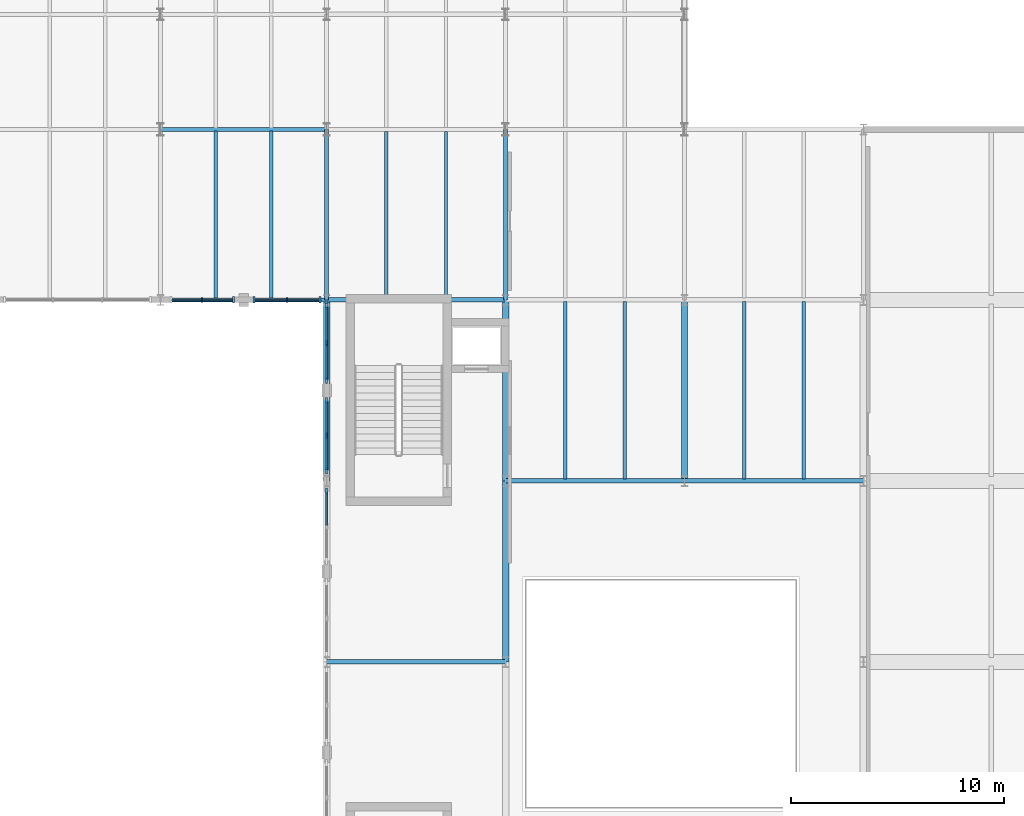
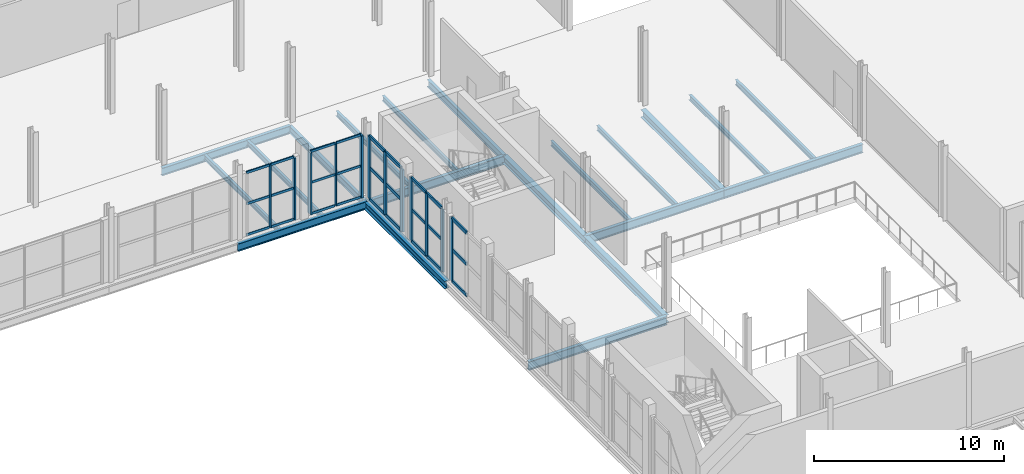
# One storey, part 31 of 63: 39 members, 20 beams, 5 elements without a shape of their own.
"""IFC4 building model written with IfcOpenShell, lengths in metres."""

from ifc_helpers import new_model, si_unit, direction, frame, origin, origin_2d, place, context, subcontext, project, spatial, rectangle, i_section, extrude, material, layer, layer_set, material_profile, profile_set, type_object, element, aggregate, save


model = new_model("IFC4")

# Units and contexts
model_context = context("Model", 3, precision=1e-05, world=origin(), true_north=direction((0.0, 1.0)))
body_context = subcontext(model_context, "Body", "Model", "MODEL_VIEW")
ifc_project = project(units=[si_unit("LENGTHUNIT", "METRE"), si_unit("AREAUNIT", "SQUARE_METRE"), si_unit("VOLUMEUNIT", "CUBIC_METRE"), si_unit("PLANEANGLEUNIT", "RADIAN"), si_unit("MASSUNIT", "GRAM", prefix="KILO")], contexts=[model_context])

# Site, building, storey
site_placement = place(None, origin())
site = spatial("IfcSite", under=ifc_project, at=site_placement, CompositionType="ELEMENT")
building_placement = place(site_placement, origin())
building = spatial("IfcBuilding", under=site, at=building_placement, Name="Sefraquen Railside Congress Hotel", CompositionType="ELEMENT")
storey_placement = place(building_placement, frame((0.0, 0.0, 11.39990234375)))
storey = spatial("IfcBuildingStorey", under=building, at=storey_placement, Name="L02", CompositionType="ELEMENT", Elevation=11.39990234375)

# Beams
ifc_material_1 = material(Name="Steel S355JR", Category="steel")
ifc_material_profile_1 = material_profile(ifc_material_1, i_section(OverallWidth=0.18994140625, OverallDepth=0.449951171875, WebThickness=0.009521484375, FlangeThickness=0.0146484375, FilletRadius=0.02099609375, at=origin_2d()), Name="IPE 450")
ifc_profile_set_1 = profile_set([ifc_material_profile_1], Name="Steel S355JR")
beam_type_1 = type_object("IfcBeamType", Name="TB-BM-450", PredefinedType="BEAM", material=ifc_profile_set_1)
for number, where, z_axis, x_axis, name in (
    (1, (103.199951171875, 88.0, -0.574951171875), (0.0, 1.0, 0.0), (-1.0, 0.0, 0.0), "Floor beam BM-L02-0931"),
    (2, (111.60009765625, 88.0, -0.574951171875), (0.0, 1.0, 0.0), (-1.0, 0.0, 0.0), "Floor beam BM-L02-0939"),
):
    element("IfcBeam", number, at=place(storey_placement, frame(where, z_axis=z_axis, x_axis=x_axis)), inside=storey, type_object=beam_type_1, Name=name, PredefinedType="BEAM", context=body_context, shape_type="SweptSolid", body=[
        extrude(i_section(OverallWidth=0.18994140625, OverallDepth=0.449951171875, WebThickness=0.009521484375, FlangeThickness=0.0146484375, FilletRadius=0.02099609375, at=origin_2d()), origin(), (0.0, 0.0, 1.0), 8.0),
    ])
ifc_material_profile_2 = material_profile(ifc_material_1, i_section(OverallWidth=0.199951171875, OverallDepth=0.5, WebThickness=0.01025390625, FlangeThickness=0.01611328125, FilletRadius=0.02099609375, at=origin_2d()), Name="IPE 500")
ifc_profile_set_2 = profile_set([ifc_material_profile_2], Name="Steel S355JR")
beam_type_2 = type_object("IfcBeamType", Name="TB-BM-500", PredefinedType="BEAM", material=ifc_profile_set_2)
for number, where, z_axis, x_axis, name in (
    (3, (95.39990234375, 88.0, -0.599853515625), (1.0, 0.0, 0.0), (0.0, 1.0, 0.0), "Primary girder BM-L02-0770"),
    (4, (95.39990234375, 96.0, -0.599853515625), (1.0, 0.0, 0.0), (0.0, 1.0, 0.0), "Primary girder BM-L02-0786"),
):
    element("IfcBeam", number, at=place(storey_placement, frame(where, z_axis=z_axis, x_axis=x_axis)), inside=storey, type_object=beam_type_2, Name=name, PredefinedType="BEAM", context=body_context, shape_type="SweptSolid", body=[
        extrude(i_section(OverallWidth=0.199951171875, OverallDepth=0.5, WebThickness=0.01025390625, FlangeThickness=0.01611328125, FilletRadius=0.02099609375, at=origin_2d()), origin(), (0.0, 0.0, 1.0), 7.800048828125),
    ])
ifc_material_profile_3 = material_profile(ifc_material_1, i_section(OverallWidth=0.300048828125, OverallDepth=0.489990234375, WebThickness=0.011962890625, FlangeThickness=0.02294921875, FilletRadius=0.027099609375, at=origin_2d()), Name="HEA 500")
ifc_profile_set_3 = profile_set([ifc_material_profile_3], Name="Steel S355JR")
beam_type_3 = type_object("IfcBeamType", Name="TB-GIR-500", PredefinedType="T_BEAM", material=ifc_profile_set_3)
for number, where, z_axis, x_axis, name in (
    (5, (103.199951171875, 79.5, -0.594970703125), (0.0, 1.0, 0.0), (-1.0, 0.0, 0.0), "Floor beam BM-L02-0930"),
    (6, (111.60009765625, 71.0, -0.594970703125), (0.0, 1.0, 0.0), (-1.0, 0.0, 0.0), "Floor beam BM-L02-0937"),
    (7, (111.60009765625, 79.5, -0.594970703125), (0.0, 1.0, 0.0), (-1.0, 0.0, 0.0), "Floor beam BM-L02-0938"),
    (8, (120.0, 79.5, -0.594970703125), (0.0, 1.0, 0.0), (-1.0, 0.0, 0.0), "Floor beam BM-L02-0949"),
):
    element("IfcBeam", number, at=place(storey_placement, frame(where, z_axis=z_axis, x_axis=x_axis)), inside=storey, type_object=beam_type_3, Name=name, PredefinedType="T_BEAM", context=body_context, shape_type="SweptSolid", body=[
        extrude(i_section(OverallWidth=0.300048828125, OverallDepth=0.489990234375, WebThickness=0.011962890625, FlangeThickness=0.02294921875, FilletRadius=0.027099609375, at=origin_2d()), origin(), (0.0, 0.0, 1.0), 8.5),
    ])
ifc_material_profile_4 = material_profile(ifc_material_1, i_section(OverallWidth=0.2099609375, OverallDepth=0.550048828125, WebThickness=0.010986328125, FlangeThickness=0.01708984375, FilletRadius=0.02392578125, at=origin_2d()), Name="IPE 550")
ifc_profile_set_4 = profile_set([ifc_material_profile_4], Name="Steel S355JR")
beam_type_4 = type_object("IfcBeamType", Name="TB-GIR-550", PredefinedType="T_BEAM", material=ifc_profile_set_4)
beam_1_placement = place(storey_placement, frame((103.199951171875, 71.0, -0.625), z_axis=(1.0, 0.0, 0.0), x_axis=(0.0, 1.0, 0.0)))
element("IfcBeam", 9, at=beam_1_placement, inside=storey, type_object=beam_type_4, Name="Primary girder BM-L02-0748", PredefinedType="T_BEAM", context=body_context, shape_type="SweptSolid", body=[
    extrude(i_section(OverallWidth=0.2099609375, OverallDepth=0.550048828125, WebThickness=0.010986328125, FlangeThickness=0.01708984375, FilletRadius=0.02392578125, at=origin_2d()), origin(), (0.0, 0.0, 1.0), 8.400146484375),
])
for number, where, z_axis, x_axis, name in (
    (10, (111.60009765625, 79.5, -0.625), (1.0, 0.0, 0.0), (0.0, 1.0, 0.0), "Primary girder BM-L02-0756"),
    (11, (120.0, 79.5, -0.625), (1.0, 0.0, 0.0), (0.0, 1.0, 0.0), "Primary girder BM-L02-0757"),
):
    element("IfcBeam", number, at=place(storey_placement, frame(where, z_axis=z_axis, x_axis=x_axis)), inside=storey, type_object=beam_type_4, Name=name, PredefinedType="T_BEAM", context=body_context, shape_type="SweptSolid", body=[
        extrude(i_section(OverallWidth=0.2099609375, OverallDepth=0.550048828125, WebThickness=0.010986328125, FlangeThickness=0.01708984375, FilletRadius=0.02392578125, at=origin_2d()), origin(), (0.0, 0.0, 1.0), 8.39990234375),
    ])
beam_2_placement = place(storey_placement, frame((103.199951171875, 88.0, -0.625), z_axis=(1.0, 0.0, 0.0), x_axis=(0.0, 1.0, 0.0)))
element("IfcBeam", 12, at=beam_2_placement, inside=storey, type_object=beam_type_4, Name="Primary girder BM-L02-0771", PredefinedType="T_BEAM", context=body_context, shape_type="SweptSolid", body=[
    extrude(i_section(OverallWidth=0.2099609375, OverallDepth=0.550048828125, WebThickness=0.010986328125, FlangeThickness=0.01708984375, FilletRadius=0.02392578125, at=origin_2d()), origin(), (0.0, 0.0, 1.0), 8.400146484375),
])
ifc_material_profile_5 = material_profile(ifc_material_1, i_section(OverallWidth=0.159912109375, OverallDepth=0.330078125, WebThickness=0.007568359375, FlangeThickness=0.011474609375, FilletRadius=0.01806640625, at=origin_2d()), Name="IPE 330")
ifc_profile_set_5 = profile_set([ifc_material_profile_5], Name="Steel S355JR")
beam_type_5 = type_object("IfcBeamType", Name="TB-JST-330", PredefinedType="JOIST", material=ifc_profile_set_5)
for number, where, z_axis, x_axis, name in (
    (13, (98.0, 88.080078125, -0.514892578125), (0.0, 1.0, 0.0), (-1.0, 0.0, 0.0), "Composite floor joist BM-L02-J0556"),
    (14, (100.60009765625, 88.080078125, -0.514892578125), (0.0, 1.0, 0.0), (-1.0, 0.0, 0.0), "Composite floor joist BM-L02-J0557"),
):
    element("IfcBeam", number, at=place(storey_placement, frame(where, z_axis=z_axis, x_axis=x_axis)), inside=storey, type_object=beam_type_5, Name=name, PredefinedType="JOIST", context=body_context, shape_type="SweptSolid", body=[
        extrude(i_section(OverallWidth=0.159912109375, OverallDepth=0.330078125, WebThickness=0.007568359375, FlangeThickness=0.011474609375, FilletRadius=0.01806640625, at=origin_2d()), origin(), (0.0, 0.0, 1.0), 7.83984375),
    ])
for number, where, z_axis, x_axis, name in (
    (15, (106.0, 88.0849609375, -0.514892578125), (0.0, 1.0, 0.0), (-1.0, 0.0, 0.0), "Composite floor joist BM-L02-J0564"),
    (16, (108.800048828125, 88.0849609375, -0.514892578125), (0.0, 1.0, 0.0), (-1.0, 0.0, 0.0), "Composite floor joist BM-L02-J0565"),
):
    element("IfcBeam", number, at=place(storey_placement, frame(where, z_axis=z_axis, x_axis=x_axis)), inside=storey, type_object=beam_type_5, Name=name, PredefinedType="JOIST", context=body_context, shape_type="SweptSolid", body=[
        extrude(i_section(OverallWidth=0.159912109375, OverallDepth=0.330078125, WebThickness=0.007568359375, FlangeThickness=0.011474609375, FilletRadius=0.01806640625, at=origin_2d()), origin(), (0.0, 0.0, 1.0), 7.830078125),
    ])
for number, where, z_axis, x_axis, name in (
    (17, (114.39990234375, 79.5849609375, -0.514892578125), (0.0, 1.0, 0.0), (-1.0, 0.0, 0.0), "Composite floor joist BM-L02-J0574"),
    (18, (117.199951171875, 79.5849609375, -0.514892578125), (0.0, 1.0, 0.0), (-1.0, 0.0, 0.0), "Composite floor joist BM-L02-J0575"),
    (19, (122.800048828125, 79.5849609375, -0.514892578125), (0.0, 1.0, 0.0), (-1.0, 0.0, 0.0), "Composite floor joist BM-L02-J0596"),
    (20, (125.60009765625, 79.5849609375, -0.514892578125), (0.0, 1.0, 0.0), (-1.0, 0.0, 0.0), "Composite floor joist BM-L02-J0597"),
):
    element("IfcBeam", number, at=place(storey_placement, frame(where, z_axis=z_axis, x_axis=x_axis)), inside=storey, type_object=beam_type_5, Name=name, PredefinedType="JOIST", context=body_context, shape_type="SweptSolid", body=[
        extrude(i_section(OverallWidth=0.159912109375, OverallDepth=0.330078125, WebThickness=0.007568359375, FlangeThickness=0.011474609375, FilletRadius=0.01806640625, at=origin_2d()), origin(), (0.0, 0.0, 1.0), 8.330078125),
    ])

# Curtain wall, member
ifc_material_2 = material(Name="Thermally broken anodised aluminium and low-E double glazing", Category="aluminium")
ifc_layer_1 = layer(ifc_material_2, 0.199951171875)
ifc_layer_set_1 = layer_set([ifc_layer_1], Name="Thermally broken anodised aluminium and low-E double glazing")
curtain_wall_type_1 = type_object("IfcCurtainWallType", Name="TCW-UCW-27", PredefinedType="USERDEFINED", material=ifc_layer_set_1)
curtain_wall_1_placement = place(storey_placement, origin())
curtain_wall_1 = element("IfcCurtainWall", 21, at=curtain_wall_1_placement, inside=storey, type_object=curtain_wall_type_1, Name="Courtyard north gallery curtain wall L02-3 bay 3", ObjectType="UNITISED CURTAIN WALL", PredefinedType="USERDEFINED")
ifc_material_3 = material(Name="Thermally broken anodised aluminium 6063-T6", Category="aluminium")
ifc_material_profile_6 = material_profile(ifc_material_3, rectangle(XDim=0.070068359375, YDim=0.199951171875, at=origin_2d()), Name="CWM 70x200")
ifc_profile_set_6 = profile_set([ifc_material_profile_6], Name="Thermally broken anodised aluminium 6063-T6")
member_type_1 = type_object("IfcMemberType", Name="TM-CWM-03", PredefinedType="MULLION", material=ifc_profile_set_6)
member_1_placement = place(storey_placement, frame((97.35009765625, 88.0, 0.0), z_axis=(0.0, 0.0, 1.0), x_axis=(1.0, 0.0, 0.0)))
member_1 = element("IfcMember", 22, at=member_1_placement, type_object=member_type_1, Name="CW-L02-059-S3 mullion 2", PredefinedType="MULLION", context=body_context, shape_type="SweptSolid", body=[
    extrude(rectangle(XDim=0.070068359375, YDim=0.199951171875, at=origin_2d()), origin(), (0.0, 0.0, 1.0), 3.989990234375),
])

curtain_wall_2_placement = place(storey_placement, origin())
curtain_wall_2 = element("IfcCurtainWall", 23, at=curtain_wall_2_placement, inside=storey, type_object=curtain_wall_type_1, Name="Courtyard north gallery curtain wall L02-3 bay 4", ObjectType="UNITISED CURTAIN WALL", PredefinedType="USERDEFINED")
member_2_placement = place(storey_placement, frame((101.3349609375, 88.0, 0.0), z_axis=(0.0, 0.0, 1.0), x_axis=(1.0, 0.0, 0.0)))
member_2 = element("IfcMember", 24, at=member_2_placement, type_object=member_type_1, Name="CW-L02-059-S4 mullion 2", PredefinedType="MULLION", context=body_context, shape_type="SweptSolid", body=[
    extrude(rectangle(XDim=0.070068359375, YDim=0.199951171875, at=origin_2d()), origin(), (0.0, 0.0, 1.0), 3.989990234375),
])

ifc_layer_2 = layer(ifc_material_2, 0.199951171875)
ifc_layer_set_2 = layer_set([ifc_layer_2], Name="Thermally broken anodised aluminium and low-E double glazing")
curtain_wall_type_2 = type_object("IfcCurtainWallType", Name="TCW-UCW-31", PredefinedType="USERDEFINED", material=ifc_layer_set_2)
curtain_wall_3_placement = place(storey_placement, origin())
curtain_wall_3 = element("IfcCurtainWall", 25, at=curtain_wall_3_placement, inside=storey, type_object=curtain_wall_type_2, Name="Courtyard east gallery curtain wall L02 bay 3", ObjectType="UNITISED CURTAIN WALL", PredefinedType="USERDEFINED")
ifc_material_profile_7 = material_profile(ifc_material_3, rectangle(XDim=0.090087890625, YDim=0.280029296875, at=origin_2d()), Name="CWM 90x280")
ifc_profile_set_7 = profile_set([ifc_material_profile_7], Name="Thermally broken anodised aluminium 6063-T6")
member_type_2 = type_object("IfcMemberType", Name="TM-CWM-07", PredefinedType="MULLION", material=ifc_profile_set_7)
member_3_placement = place(storey_placement, frame((103.199951171875, 81.625, 0.0), z_axis=(0.0, 0.0, 1.0), x_axis=(1.0, 0.0, 0.0)))
member_3 = element("IfcMember", 26, at=member_3_placement, type_object=member_type_2, Name="CW-L02-063-S3 mullion 2", PredefinedType="MULLION", context=body_context, shape_type="SweptSolid", body=[
    extrude(rectangle(XDim=0.090087890625, YDim=0.280029296875, at=origin_2d()), origin(), (0.0, 0.0, 1.0), 3.989990234375),
])

curtain_wall_4_placement = place(storey_placement, origin())
curtain_wall_4 = element("IfcCurtainWall", 27, at=curtain_wall_4_placement, inside=storey, type_object=curtain_wall_type_2, Name="Courtyard east gallery curtain wall L02 bay 4", ObjectType="UNITISED CURTAIN WALL", PredefinedType="USERDEFINED")
member_4_placement = place(storey_placement, frame((103.199951171875, 85.9599609375, 0.0), z_axis=(0.0, 0.0, 1.0), x_axis=(1.0, 0.0, 0.0)))
member_4 = element("IfcMember", 28, at=member_4_placement, type_object=member_type_2, Name="CW-L02-063-S4 mullion 2", PredefinedType="MULLION", context=body_context, shape_type="SweptSolid", body=[
    extrude(rectangle(XDim=0.090087890625, YDim=0.280029296875, at=origin_2d()), origin(), (0.0, 0.0, 1.0), 3.989990234375),
])

# Member
ifc_material_profile_8 = material_profile(ifc_material_3, rectangle(XDim=0.094970703125, YDim=0.300048828125, at=origin_2d()), Name="CWM 95x300")
ifc_profile_set_8 = profile_set([ifc_material_profile_8], Name="Thermally broken anodised aluminium 6063-T6")
member_type_3 = type_object("IfcMemberType", Name="TM-CWM-08", PredefinedType="MULLION", material=ifc_profile_set_8)
member_5_placement = place(storey_placement, frame((98.820068359375, 88.0, 0.0), z_axis=(0.0, 0.0, 1.0), x_axis=(1.0, 0.0, 0.0)))
member_5 = element("IfcMember", 29, at=member_5_placement, type_object=member_type_3, Name="CW-L02-059-S3 mullion 3", PredefinedType="MULLION", context=body_context, shape_type="SweptSolid", body=[
    extrude(rectangle(XDim=0.094970703125, YDim=0.300048828125, at=origin_2d()), origin(), (0.0, 0.0, 1.0), 3.989990234375),
])

member_6_placement = place(storey_placement, frame((99.780029296875, 88.0, 0.0), z_axis=(0.0, 0.0, 1.0), x_axis=(1.0, 0.0, 0.0)))
member_6 = element("IfcMember", 30, at=member_6_placement, type_object=member_type_3, Name="CW-L02-059-S4 mullion 1", PredefinedType="MULLION", context=body_context, shape_type="SweptSolid", body=[
    extrude(rectangle(XDim=0.094970703125, YDim=0.300048828125, at=origin_2d()), origin(), (0.0, 0.0, 1.0), 3.989990234375),
])

member_7_placement = place(storey_placement, frame((102.889892578125, 88.0, 0.0), z_axis=(0.0, 0.0, 1.0), x_axis=(1.0, 0.0, 0.0)))
member_7 = element("IfcMember", 31, at=member_7_placement, type_object=member_type_3, Name="CW-L02-059-S4 mullion 3", PredefinedType="MULLION", context=body_context, shape_type="SweptSolid", body=[
    extrude(rectangle(XDim=0.094970703125, YDim=0.300048828125, at=origin_2d()), origin(), (0.0, 0.0, 1.0), 3.989990234375),
])

# Curtain wall, member
curtain_wall_5_placement = place(storey_placement, origin())
curtain_wall_5 = element("IfcCurtainWall", 32, at=curtain_wall_5_placement, inside=storey, type_object=curtain_wall_type_2, Name="Courtyard east gallery curtain wall L02 bay 2", ObjectType="UNITISED CURTAIN WALL", PredefinedType="USERDEFINED")
member_8_placement = place(storey_placement, frame((103.199951171875, 79.02001953125, 0.0), z_axis=(0.0, 0.0, 1.0), x_axis=(1.0, 0.0, 0.0)))
member_8 = element("IfcMember", 33, at=member_8_placement, type_object=member_type_3, Name="CW-L02-063-S2 mullion 3", PredefinedType="MULLION", context=body_context, shape_type="SweptSolid", body=[
    extrude(rectangle(XDim=0.094970703125, YDim=0.300048828125, at=origin_2d()), origin(), (0.0, 0.0, 1.0), 3.989990234375),
])

# Member
member_9_placement = place(storey_placement, frame((103.199951171875, 79.97998046875, 0.0), z_axis=(0.0, 0.0, 1.0), x_axis=(1.0, 0.0, 0.0)))
member_9 = element("IfcMember", 34, at=member_9_placement, type_object=member_type_3, Name="CW-L02-063-S3 mullion 1", PredefinedType="MULLION", context=body_context, shape_type="SweptSolid", body=[
    extrude(rectangle(XDim=0.094970703125, YDim=0.300048828125, at=origin_2d()), origin(), (0.0, 0.0, 1.0), 3.989990234375),
])

member_10_placement = place(storey_placement, frame((103.199951171875, 83.27001953125, 0.0), z_axis=(0.0, 0.0, 1.0), x_axis=(1.0, 0.0, 0.0)))
member_10 = element("IfcMember", 35, at=member_10_placement, type_object=member_type_3, Name="CW-L02-063-S3 mullion 3", PredefinedType="MULLION", context=body_context, shape_type="SweptSolid", body=[
    extrude(rectangle(XDim=0.094970703125, YDim=0.300048828125, at=origin_2d()), origin(), (0.0, 0.0, 1.0), 3.989990234375),
])

member_11_placement = place(storey_placement, frame((103.199951171875, 84.22998046875, 0.0), z_axis=(0.0, 0.0, 1.0), x_axis=(1.0, 0.0, 0.0)))
member_11 = element("IfcMember", 36, at=member_11_placement, type_object=member_type_3, Name="CW-L02-063-S4 mullion 1", PredefinedType="MULLION", context=body_context, shape_type="SweptSolid", body=[
    extrude(rectangle(XDim=0.094970703125, YDim=0.300048828125, at=origin_2d()), origin(), (0.0, 0.0, 1.0), 3.989990234375),
])

member_12_placement = place(storey_placement, frame((103.199951171875, 87.68994140625, 0.0), z_axis=(0.0, 0.0, 1.0), x_axis=(1.0, 0.0, 0.0)))
member_12 = element("IfcMember", 37, at=member_12_placement, type_object=member_type_3, Name="CW-L02-063-S4 mullion 3", PredefinedType="MULLION", context=body_context, shape_type="SweptSolid", body=[
    extrude(rectangle(XDim=0.094970703125, YDim=0.300048828125, at=origin_2d()), origin(), (0.0, 0.0, 1.0), 3.989990234375),
])

ifc_material_profile_9 = material_profile(ifc_material_3, rectangle(XDim=0.070068359375, YDim=0.14990234375, at=origin_2d()), Name="CWT 70x150")
ifc_profile_set_9 = profile_set([ifc_material_profile_9], Name="Thermally broken anodised aluminium 6063-T6")
member_type_4 = type_object("IfcMemberType", Name="TM-CWT-03", PredefinedType="USERDEFINED", material=ifc_profile_set_9)
member_13_placement = place(storey_placement, frame((95.925048828125, 88.0, 0.0), z_axis=(1.0, 0.0, 0.0), x_axis=(0.0, 1.0, 0.0)))
member_13 = element("IfcMember", 38, at=member_13_placement, type_object=member_type_4, Name="CW-L02-059-S3 transom 1.1", ObjectType="TRANSOM", PredefinedType="USERDEFINED", context=body_context, shape_type="SweptSolid", body=[
    extrude(rectangle(XDim=0.070068359375, YDim=0.14990234375, at=origin_2d()), origin(), (0.0, 0.0, 1.0), 1.3798828125),
])

member_14_placement = place(storey_placement, frame((97.39501953125, 88.0, 0.0), z_axis=(1.0, 0.0, 0.0), x_axis=(0.0, 1.0, 0.0)))
member_14 = element("IfcMember", 39, at=member_14_placement, type_object=member_type_4, Name="CW-L02-059-S3 transom 1.2", ObjectType="TRANSOM", PredefinedType="USERDEFINED", context=body_context, shape_type="SweptSolid", body=[
    extrude(rectangle(XDim=0.070068359375, YDim=0.14990234375, at=origin_2d()), origin(), (0.0, 0.0, 1.0), 1.3798828125),
])

member_15_placement = place(storey_placement, frame((95.925048828125, 88.0, 1.9951171875), z_axis=(1.0, 0.0, 0.0), x_axis=(0.0, 1.0, 0.0)))
member_15 = element("IfcMember", 40, at=member_15_placement, type_object=member_type_4, Name="CW-L02-059-S3 transom 2.1", ObjectType="TRANSOM", PredefinedType="USERDEFINED", context=body_context, shape_type="SweptSolid", body=[
    extrude(rectangle(XDim=0.070068359375, YDim=0.14990234375, at=origin_2d()), origin(), (0.0, 0.0, 1.0), 1.3798828125),
])

member_16_placement = place(storey_placement, frame((97.39501953125, 88.0, 1.9951171875), z_axis=(1.0, 0.0, 0.0), x_axis=(0.0, 1.0, 0.0)))
member_16 = element("IfcMember", 41, at=member_16_placement, type_object=member_type_4, Name="CW-L02-059-S3 transom 2.2", ObjectType="TRANSOM", PredefinedType="USERDEFINED", context=body_context, shape_type="SweptSolid", body=[
    extrude(rectangle(XDim=0.070068359375, YDim=0.14990234375, at=origin_2d()), origin(), (0.0, 0.0, 1.0), 1.3798828125),
])

member_17_placement = place(storey_placement, frame((95.925048828125, 88.0, 3.989990234375), z_axis=(1.0, 0.0, 0.0), x_axis=(0.0, 1.0, 0.0)))
member_17 = element("IfcMember", 42, at=member_17_placement, type_object=member_type_4, Name="CW-L02-059-S3 transom 3.1", ObjectType="TRANSOM", PredefinedType="USERDEFINED", context=body_context, shape_type="SweptSolid", body=[
    extrude(rectangle(XDim=0.070068359375, YDim=0.14990234375, at=origin_2d()), origin(), (0.0, 0.0, 1.0), 1.3798828125),
])

member_18_placement = place(storey_placement, frame((97.39501953125, 88.0, 3.989990234375), z_axis=(1.0, 0.0, 0.0), x_axis=(0.0, 1.0, 0.0)))
member_18 = element("IfcMember", 43, at=member_18_placement, type_object=member_type_4, Name="CW-L02-059-S3 transom 3.2", ObjectType="TRANSOM", PredefinedType="USERDEFINED", context=body_context, shape_type="SweptSolid", body=[
    extrude(rectangle(XDim=0.070068359375, YDim=0.14990234375, at=origin_2d()), origin(), (0.0, 0.0, 1.0), 1.3798828125),
])

aggregate(curtain_wall_1, [member_1, member_5, member_13, member_14, member_15, member_16, member_17, member_18])

member_19_placement = place(storey_placement, frame((99.824951171875, 88.0, 0.0), z_axis=(1.0, 0.0, 0.0), x_axis=(0.0, 1.0, 0.0)))
member_19 = element("IfcMember", 44, at=member_19_placement, type_object=member_type_4, Name="CW-L02-059-S4 transom 1.1", ObjectType="TRANSOM", PredefinedType="USERDEFINED", context=body_context, shape_type="SweptSolid", body=[
    extrude(rectangle(XDim=0.070068359375, YDim=0.14990234375, at=origin_2d()), origin(), (0.0, 0.0, 1.0), 1.465087890625),
])

member_20_placement = place(storey_placement, frame((101.3798828125, 88.0, 0.0), z_axis=(1.0, 0.0, 0.0), x_axis=(0.0, 1.0, 0.0)))
member_20 = element("IfcMember", 45, at=member_20_placement, type_object=member_type_4, Name="CW-L02-059-S4 transom 1.2", ObjectType="TRANSOM", PredefinedType="USERDEFINED", context=body_context, shape_type="SweptSolid", body=[
    extrude(rectangle(XDim=0.070068359375, YDim=0.14990234375, at=origin_2d()), origin(), (0.0, 0.0, 1.0), 1.465087890625),
])

member_21_placement = place(storey_placement, frame((99.824951171875, 88.0, 1.9951171875), z_axis=(1.0, 0.0, 0.0), x_axis=(0.0, 1.0, 0.0)))
member_21 = element("IfcMember", 46, at=member_21_placement, type_object=member_type_4, Name="CW-L02-059-S4 transom 2.1", ObjectType="TRANSOM", PredefinedType="USERDEFINED", context=body_context, shape_type="SweptSolid", body=[
    extrude(rectangle(XDim=0.070068359375, YDim=0.14990234375, at=origin_2d()), origin(), (0.0, 0.0, 1.0), 1.465087890625),
])

member_22_placement = place(storey_placement, frame((101.3798828125, 88.0, 1.9951171875), z_axis=(1.0, 0.0, 0.0), x_axis=(0.0, 1.0, 0.0)))
member_22 = element("IfcMember", 47, at=member_22_placement, type_object=member_type_4, Name="CW-L02-059-S4 transom 2.2", ObjectType="TRANSOM", PredefinedType="USERDEFINED", context=body_context, shape_type="SweptSolid", body=[
    extrude(rectangle(XDim=0.070068359375, YDim=0.14990234375, at=origin_2d()), origin(), (0.0, 0.0, 1.0), 1.465087890625),
])

member_23_placement = place(storey_placement, frame((99.824951171875, 88.0, 3.989990234375), z_axis=(1.0, 0.0, 0.0), x_axis=(0.0, 1.0, 0.0)))
member_23 = element("IfcMember", 48, at=member_23_placement, type_object=member_type_4, Name="CW-L02-059-S4 transom 3.1", ObjectType="TRANSOM", PredefinedType="USERDEFINED", context=body_context, shape_type="SweptSolid", body=[
    extrude(rectangle(XDim=0.070068359375, YDim=0.14990234375, at=origin_2d()), origin(), (0.0, 0.0, 1.0), 1.465087890625),
])

member_24_placement = place(storey_placement, frame((101.3798828125, 88.0, 3.989990234375), z_axis=(1.0, 0.0, 0.0), x_axis=(0.0, 1.0, 0.0)))
member_24 = element("IfcMember", 49, at=member_24_placement, type_object=member_type_4, Name="CW-L02-059-S4 transom 3.2", ObjectType="TRANSOM", PredefinedType="USERDEFINED", context=body_context, shape_type="SweptSolid", body=[
    extrude(rectangle(XDim=0.070068359375, YDim=0.14990234375, at=origin_2d()), origin(), (0.0, 0.0, 1.0), 1.465087890625),
])

aggregate(curtain_wall_2, [member_6, member_2, member_7, member_19, member_20, member_21, member_22, member_23, member_24])

ifc_material_profile_10 = material_profile(ifc_material_3, rectangle(XDim=0.090087890625, YDim=0.2099609375, at=origin_2d()), Name="CWT 90x210")
ifc_profile_set_10 = profile_set([ifc_material_profile_10], Name="Thermally broken anodised aluminium 6063-T6")
member_type_5 = type_object("IfcMemberType", Name="TM-CWT-07", PredefinedType="USERDEFINED", material=ifc_profile_set_10)
member_25_placement = place(storey_placement, frame((103.199951171875, 77.419921875, 0.0), z_axis=(0.0, 1.0, 0.0), x_axis=(-1.0, 0.0, 0.0)))
member_25 = element("IfcMember", 50, at=member_25_placement, type_object=member_type_5, Name="CW-L02-063-S2 transom 1.2", ObjectType="TRANSOM", PredefinedType="USERDEFINED", context=body_context, shape_type="SweptSolid", body=[
    extrude(rectangle(XDim=0.090087890625, YDim=0.2099609375, at=origin_2d()), origin(), (0.0, 0.0, 1.0), 1.55517578125),
])

member_26_placement = place(storey_placement, frame((103.199951171875, 77.419921875, 1.9951171875), z_axis=(0.0, 1.0, 0.0), x_axis=(-1.0, 0.0, 0.0)))
member_26 = element("IfcMember", 51, at=member_26_placement, type_object=member_type_5, Name="CW-L02-063-S2 transom 2.2", ObjectType="TRANSOM", PredefinedType="USERDEFINED", context=body_context, shape_type="SweptSolid", body=[
    extrude(rectangle(XDim=0.090087890625, YDim=0.2099609375, at=origin_2d()), origin(), (0.0, 0.0, 1.0), 1.55517578125),
])

member_27_placement = place(storey_placement, frame((103.199951171875, 77.419921875, 3.989990234375), z_axis=(0.0, 1.0, 0.0), x_axis=(-1.0, 0.0, 0.0)))
member_27 = element("IfcMember", 52, at=member_27_placement, type_object=member_type_5, Name="CW-L02-063-S2 transom 3.2", ObjectType="TRANSOM", PredefinedType="USERDEFINED", context=body_context, shape_type="SweptSolid", body=[
    extrude(rectangle(XDim=0.090087890625, YDim=0.2099609375, at=origin_2d()), origin(), (0.0, 0.0, 1.0), 1.55517578125),
])

aggregate(curtain_wall_5, [member_8, member_25, member_26, member_27])

member_28_placement = place(storey_placement, frame((103.199951171875, 80.02490234375, 0.0), z_axis=(0.0, 1.0, 0.0), x_axis=(-1.0, 0.0, 0.0)))
member_28 = element("IfcMember", 53, at=member_28_placement, type_object=member_type_5, Name="CW-L02-063-S3 transom 1.1", ObjectType="TRANSOM", PredefinedType="USERDEFINED", context=body_context, shape_type="SweptSolid", body=[
    extrude(rectangle(XDim=0.090087890625, YDim=0.2099609375, at=origin_2d()), origin(), (0.0, 0.0, 1.0), 1.55517578125),
])

member_29_placement = place(storey_placement, frame((103.199951171875, 81.669921875, 0.0), z_axis=(0.0, 1.0, 0.0), x_axis=(-1.0, 0.0, 0.0)))
member_29 = element("IfcMember", 54, at=member_29_placement, type_object=member_type_5, Name="CW-L02-063-S3 transom 1.2", ObjectType="TRANSOM", PredefinedType="USERDEFINED", context=body_context, shape_type="SweptSolid", body=[
    extrude(rectangle(XDim=0.090087890625, YDim=0.2099609375, at=origin_2d()), origin(), (0.0, 0.0, 1.0), 1.55517578125),
])

member_30_placement = place(storey_placement, frame((103.199951171875, 80.02490234375, 1.9951171875), z_axis=(0.0, 1.0, 0.0), x_axis=(-1.0, 0.0, 0.0)))
member_30 = element("IfcMember", 55, at=member_30_placement, type_object=member_type_5, Name="CW-L02-063-S3 transom 2.1", ObjectType="TRANSOM", PredefinedType="USERDEFINED", context=body_context, shape_type="SweptSolid", body=[
    extrude(rectangle(XDim=0.090087890625, YDim=0.2099609375, at=origin_2d()), origin(), (0.0, 0.0, 1.0), 1.55517578125),
])

member_31_placement = place(storey_placement, frame((103.199951171875, 81.669921875, 1.9951171875), z_axis=(0.0, 1.0, 0.0), x_axis=(-1.0, 0.0, 0.0)))
member_31 = element("IfcMember", 56, at=member_31_placement, type_object=member_type_5, Name="CW-L02-063-S3 transom 2.2", ObjectType="TRANSOM", PredefinedType="USERDEFINED", context=body_context, shape_type="SweptSolid", body=[
    extrude(rectangle(XDim=0.090087890625, YDim=0.2099609375, at=origin_2d()), origin(), (0.0, 0.0, 1.0), 1.55517578125),
])

member_32_placement = place(storey_placement, frame((103.199951171875, 80.02490234375, 3.989990234375), z_axis=(0.0, 1.0, 0.0), x_axis=(-1.0, 0.0, 0.0)))
member_32 = element("IfcMember", 57, at=member_32_placement, type_object=member_type_5, Name="CW-L02-063-S3 transom 3.1", ObjectType="TRANSOM", PredefinedType="USERDEFINED", context=body_context, shape_type="SweptSolid", body=[
    extrude(rectangle(XDim=0.090087890625, YDim=0.2099609375, at=origin_2d()), origin(), (0.0, 0.0, 1.0), 1.55517578125),
])

member_33_placement = place(storey_placement, frame((103.199951171875, 81.669921875, 3.989990234375), z_axis=(0.0, 1.0, 0.0), x_axis=(-1.0, 0.0, 0.0)))
member_33 = element("IfcMember", 58, at=member_33_placement, type_object=member_type_5, Name="CW-L02-063-S3 transom 3.2", ObjectType="TRANSOM", PredefinedType="USERDEFINED", context=body_context, shape_type="SweptSolid", body=[
    extrude(rectangle(XDim=0.090087890625, YDim=0.2099609375, at=origin_2d()), origin(), (0.0, 0.0, 1.0), 1.55517578125),
])

aggregate(curtain_wall_3, [member_9, member_3, member_10, member_28, member_29, member_30, member_31, member_32, member_33])

member_34_placement = place(storey_placement, frame((103.199951171875, 84.27490234375, 0.0), z_axis=(0.0, 1.0, 0.0), x_axis=(-1.0, 0.0, 0.0)))
member_34 = element("IfcMember", 59, at=member_34_placement, type_object=member_type_5, Name="CW-L02-063-S4 transom 1.1", ObjectType="TRANSOM", PredefinedType="USERDEFINED", context=body_context, shape_type="SweptSolid", body=[
    extrude(rectangle(XDim=0.090087890625, YDim=0.2099609375, at=origin_2d()), origin(), (0.0, 0.0, 1.0), 1.64013671875),
])

member_35_placement = place(storey_placement, frame((103.199951171875, 86.0048828125, 0.0), z_axis=(0.0, 1.0, 0.0), x_axis=(-1.0, 0.0, 0.0)))
member_35 = element("IfcMember", 60, at=member_35_placement, type_object=member_type_5, Name="CW-L02-063-S4 transom 1.2", ObjectType="TRANSOM", PredefinedType="USERDEFINED", context=body_context, shape_type="SweptSolid", body=[
    extrude(rectangle(XDim=0.090087890625, YDim=0.2099609375, at=origin_2d()), origin(), (0.0, 0.0, 1.0), 1.64013671875),
])

member_36_placement = place(storey_placement, frame((103.199951171875, 84.27490234375, 1.9951171875), z_axis=(0.0, 1.0, 0.0), x_axis=(-1.0, 0.0, 0.0)))
member_36 = element("IfcMember", 61, at=member_36_placement, type_object=member_type_5, Name="CW-L02-063-S4 transom 2.1", ObjectType="TRANSOM", PredefinedType="USERDEFINED", context=body_context, shape_type="SweptSolid", body=[
    extrude(rectangle(XDim=0.090087890625, YDim=0.2099609375, at=origin_2d()), origin(), (0.0, 0.0, 1.0), 1.64013671875),
])

member_37_placement = place(storey_placement, frame((103.199951171875, 86.0048828125, 1.9951171875), z_axis=(0.0, 1.0, 0.0), x_axis=(-1.0, 0.0, 0.0)))
member_37 = element("IfcMember", 62, at=member_37_placement, type_object=member_type_5, Name="CW-L02-063-S4 transom 2.2", ObjectType="TRANSOM", PredefinedType="USERDEFINED", context=body_context, shape_type="SweptSolid", body=[
    extrude(rectangle(XDim=0.090087890625, YDim=0.2099609375, at=origin_2d()), origin(), (0.0, 0.0, 1.0), 1.64013671875),
])

member_38_placement = place(storey_placement, frame((103.199951171875, 84.27490234375, 3.989990234375), z_axis=(0.0, 1.0, 0.0), x_axis=(-1.0, 0.0, 0.0)))
member_38 = element("IfcMember", 63, at=member_38_placement, type_object=member_type_5, Name="CW-L02-063-S4 transom 3.1", ObjectType="TRANSOM", PredefinedType="USERDEFINED", context=body_context, shape_type="SweptSolid", body=[
    extrude(rectangle(XDim=0.090087890625, YDim=0.2099609375, at=origin_2d()), origin(), (0.0, 0.0, 1.0), 1.64013671875),
])

member_39_placement = place(storey_placement, frame((103.199951171875, 86.0048828125, 3.989990234375), z_axis=(0.0, 1.0, 0.0), x_axis=(-1.0, 0.0, 0.0)))
member_39 = element("IfcMember", 64, at=member_39_placement, type_object=member_type_5, Name="CW-L02-063-S4 transom 3.2", ObjectType="TRANSOM", PredefinedType="USERDEFINED", context=body_context, shape_type="SweptSolid", body=[
    extrude(rectangle(XDim=0.090087890625, YDim=0.2099609375, at=origin_2d()), origin(), (0.0, 0.0, 1.0), 1.64013671875),
])

aggregate(curtain_wall_4, [member_11, member_4, member_12, member_34, member_35, member_36, member_37, member_38, member_39])

save(model, "model.ifc")
